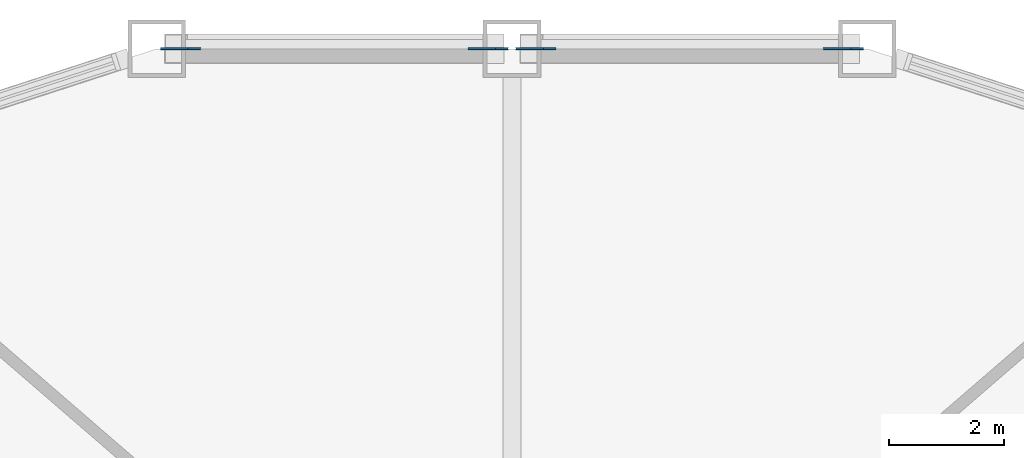
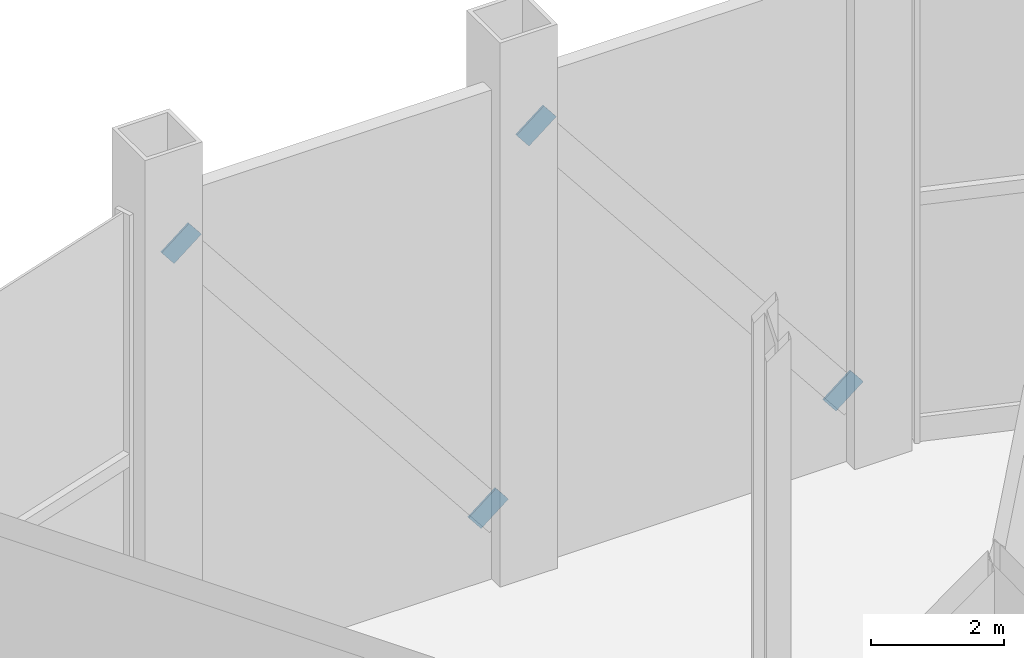
# One storey, part 13 of 17: 4 discrete accessories.
"""IFC4 building model written with IfcOpenShell, lengths in metres."""

from ifc_helpers import new_model, si_unit, direction, frame, origin, origin_2d, place, context, subcontext, project, spatial, rectangle, extrude, material, material_profile, profile_set, type_object, element, save


model = new_model("IFC4")

# Units and contexts
model_context = context("Model", 3, precision=1e-05, world=origin(), true_north=direction((0.0, 1.0)))
body_context = subcontext(model_context, "Body", "Model", "MODEL_VIEW")
ifc_project = project(units=[si_unit("LENGTHUNIT", "METRE"), si_unit("AREAUNIT", "SQUARE_METRE"), si_unit("VOLUMEUNIT", "CUBIC_METRE"), si_unit("PLANEANGLEUNIT", "RADIAN"), si_unit("MASSUNIT", "GRAM", prefix="KILO")], contexts=[model_context])

# Site, building, storey
site_placement = place(None, origin())
site = spatial("IfcSite", under=ifc_project, at=site_placement, CompositionType="ELEMENT")
building_placement = place(site_placement, origin())
building = spatial("IfcBuilding", under=site, at=building_placement, Name="Cormorant Prow Tower", CompositionType="ELEMENT")
storey_placement = place(building_placement, frame((0.0, 0.0, 84.60009765625)))
storey = spatial("IfcBuildingStorey", under=building, at=storey_placement, Name="L18", CompositionType="ELEMENT", Elevation=84.60009765625)

# Discrete accessories
ifc_material = material(Name="Structural steel ASTM A500 Gr C", Category="steel")
ifc_material_profile = material_profile(ifc_material, rectangle(XDim=0.031982421875, YDim=0.60791015625, at=origin_2d()), Name="Gusset plate 32x608")
ifc_profile_set = profile_set([ifc_material_profile], Name="Structural steel ASTM A500 Gr C")
discrete_accessory_type = type_object("IfcDiscreteAccessoryType", Name="Gusset plate 32x608", PredefinedType="BRACKET", material=ifc_profile_set)
discrete_accessory_1_placement = place(storey_placement, frame((5.64501953125, 32.233642578125, 1.26220703125), z_axis=(0.621113990567, 0.0, -0.783720237535), x_axis=(0.0, 1.0, 0.0)))
element("IfcDiscreteAccessory", 1, at=discrete_accessory_1_placement, inside=storey, type_object=discrete_accessory_type, Name="Gusset plate GP1 L18.N00.g0", PredefinedType="BRACKET", context=body_context, shape_type="SweptSolid", body=[
    extrude(rectangle(XDim=0.031982421875, YDim=0.60791015625, at=origin_2d()), origin(), (0.0, 0.0, 1.0), 0.349853515625),
])
discrete_accessory_2_placement = place(storey_placement, frame((0.524658203125, 32.233642578125, 7.726318359375), z_axis=(-0.620774403832, 0.0, 0.783989247086), x_axis=(0.0, -1.0, 0.0)))
element("IfcDiscreteAccessory", 2, at=discrete_accessory_2_placement, inside=storey, type_object=discrete_accessory_type, Name="Gusset plate GP1 L18.N00.g1", PredefinedType="BRACKET", context=body_context, shape_type="SweptSolid", body=[
    extrude(rectangle(XDim=0.031982421875, YDim=0.60791015625, at=origin_2d()), origin(), (0.0, 0.0, 1.0), 0.35009765625),
])
discrete_accessory_3_placement = place(storey_placement, frame((-0.524658203125, 32.233642578125, 1.26220703125), z_axis=(0.621113990567, 0.0, -0.783720237535), x_axis=(0.0, 1.0, 0.0)))
element("IfcDiscreteAccessory", 3, at=discrete_accessory_3_placement, inside=storey, type_object=discrete_accessory_type, Name="Gusset plate GP1 L18.N01.g0", PredefinedType="BRACKET", context=body_context, shape_type="SweptSolid", body=[
    extrude(rectangle(XDim=0.031982421875, YDim=0.60791015625, at=origin_2d()), origin(), (0.0, 0.0, 1.0), 0.349853515625),
])
discrete_accessory_4_placement = place(storey_placement, frame((-5.64501953125, 32.233642578125, 7.726318359375), z_axis=(-0.620774403832, 0.0, 0.783989247086), x_axis=(0.0, -1.0, 0.0)))
element("IfcDiscreteAccessory", 4, at=discrete_accessory_4_placement, inside=storey, type_object=discrete_accessory_type, Name="Gusset plate GP1 L18.N01.g1", PredefinedType="BRACKET", context=body_context, shape_type="SweptSolid", body=[
    extrude(rectangle(XDim=0.031982421875, YDim=0.60791015625, at=origin_2d()), origin(), (0.0, 0.0, 1.0), 0.35009765625),
])

save(model, "model.ifc")
